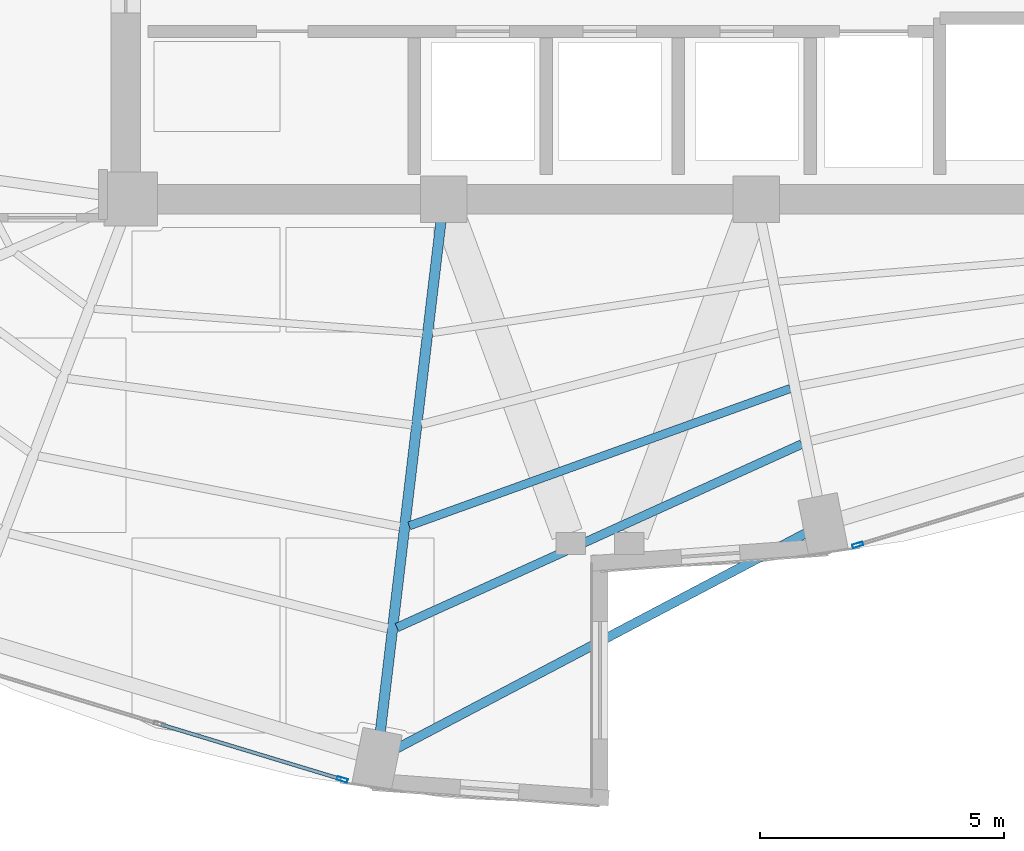
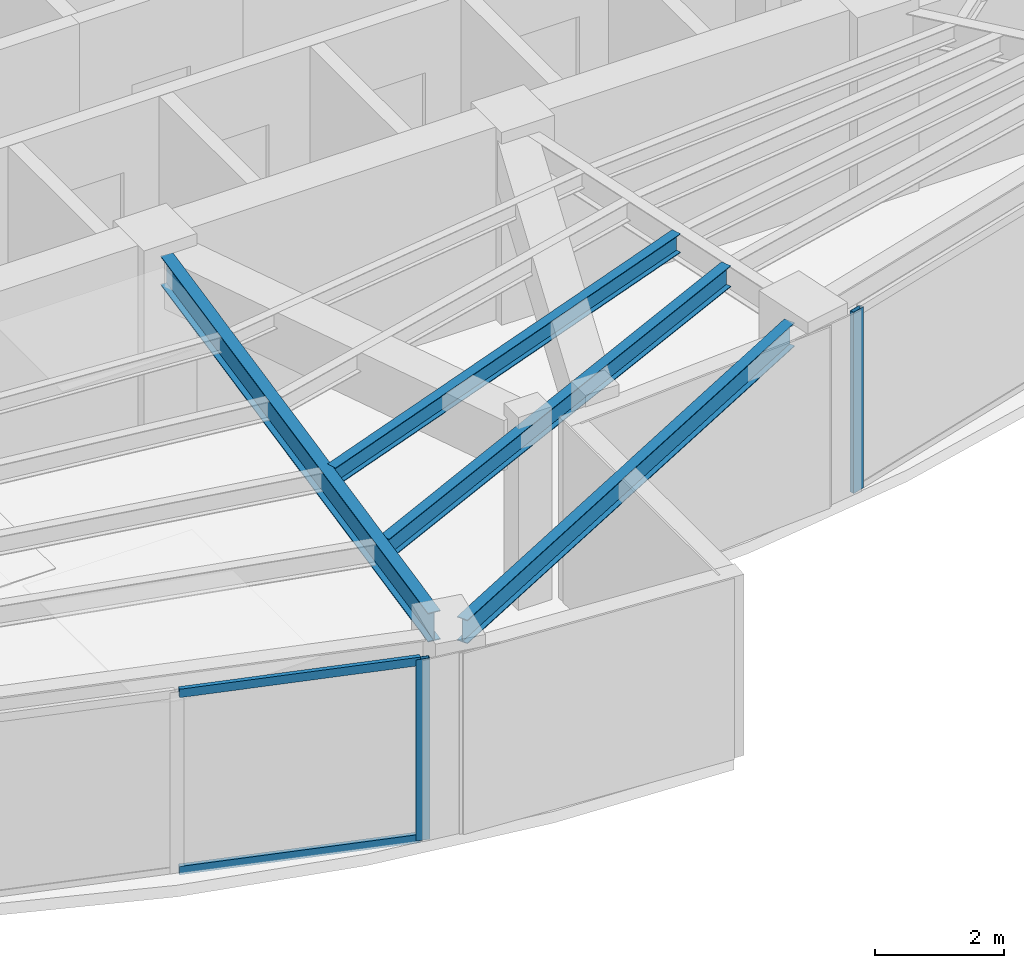
# One storey, part 4 of 20: 4 beams, 4 members, 2 elements without a shape of their own.
"""IFC4 building model written with IfcOpenShell, lengths in metres."""

from ifc_helpers import new_model, si_unit, direction, frame, origin, origin_2d, place, context, subcontext, project, spatial, hollow_rectangle, i_section, extrude, material, layer, layer_set, material_profile, profile_set, type_object, element, aggregate, save


model = new_model("IFC4")

# Units and contexts
model_context = context("Model", 3, precision=1e-05, world=origin(), true_north=direction((0.0, 1.0)))
body_context = subcontext(model_context, "Body", "Model", "MODEL_VIEW")
ifc_project = project(units=[si_unit("LENGTHUNIT", "METRE"), si_unit("AREAUNIT", "SQUARE_METRE"), si_unit("VOLUMEUNIT", "CUBIC_METRE"), si_unit("PLANEANGLEUNIT", "RADIAN"), si_unit("MASSUNIT", "GRAM", prefix="KILO")], contexts=[model_context])

# Site, building, storey
site_placement = place(None, origin())
site = spatial("IfcSite", under=ifc_project, at=site_placement, CompositionType="ELEMENT")
building_placement = place(site_placement, origin())
building = spatial("IfcBuilding", under=site, at=building_placement, Name="Lazwardi Medical Tower", CompositionType="ELEMENT")
storey_placement = place(building_placement, frame((0.0, 0.0, 178.416015625)))
storey = spatial("IfcBuildingStorey", under=building, at=storey_placement, Name="L46", CompositionType="ELEMENT", Elevation=178.416015625)

# Beams
ifc_material_1 = material(Name="Steel S355", Category="steel")
ifc_material_profile_1 = material_profile(ifc_material_1, i_section(OverallWidth=0.2099609375, OverallDepth=0.550048828125, WebThickness=0.010986328125, FlangeThickness=0.01708984375, at=origin_2d()), Name="IPE 550")
ifc_profile_set_1 = profile_set([ifc_material_profile_1], Name="Steel S355")
beam_type_1 = type_object("IfcBeamType", Name="BM-RG-W2", PredefinedType="BEAM", material=ifc_profile_set_1)
beam_1_placement = place(storey_placement, frame((31.505859375, 9.50732421875, 3.153076171875), z_axis=(0.117968004211, 0.993017396616, 0.0), x_axis=(-0.993017396616, 0.117968004211, 0.0)))
element("IfcBeam", 1, at=beam_1_placement, inside=storey, type_object=beam_type_1, Name="Radial girder RG-03 R16 L46", PredefinedType="BEAM", context=body_context, shape_type="SweptSolid", body=[
    extrude(i_section(OverallWidth=0.2099609375, OverallDepth=0.550048828125, WebThickness=0.010986328125, FlangeThickness=0.01708984375, at=origin_2d()), origin(), (0.0, 0.0, 1.0), 10.50927734375),
])
ifc_material_profile_2 = material_profile(ifc_material_1, i_section(OverallWidth=0.179931640625, OverallDepth=0.39990234375, WebThickness=0.008544921875, FlangeThickness=0.013427734375, at=origin_2d()), Name="IPE 400")
ifc_profile_set_2 = profile_set([ifc_material_profile_2], Name="Steel S355")
beam_type_2 = type_object("IfcBeamType", Name="BM-SJ-01", PredefinedType="JOIST", material=ifc_profile_set_2)
beam_2_placement = place(storey_placement, frame((31.844970703125, 11.6357421875, 3.22802734375), z_axis=(0.910834000674, 0.412772846995, 0.0), x_axis=(-0.412772846995, 0.910834000674, 0.0)))
element("IfcBeam", 2, at=beam_2_placement, inside=storey, type_object=beam_type_2, Name="Secondary joist SJ-01 R1 B16 L46", PredefinedType="JOIST", context=body_context, shape_type="SweptSolid", body=[
    extrude(i_section(OverallWidth=0.179931640625, OverallDepth=0.39990234375, WebThickness=0.008544921875, FlangeThickness=0.013427734375, at=origin_2d()), origin(), (0.0, 0.0, 1.0), 9.09130859375),
])
ifc_material_profile_3 = material_profile(ifc_material_1, i_section(OverallWidth=0.169921875, OverallDepth=0.360107421875, WebThickness=0.008056640625, FlangeThickness=0.0126953125, at=origin_2d()), Name="IPE 360")
ifc_profile_set_3 = profile_set([ifc_material_profile_3], Name="Steel S355")
beam_type_3 = type_object("IfcBeamType", Name="BM-SJ-02", PredefinedType="JOIST", material=ifc_profile_set_3)
beam_3_placement = place(storey_placement, frame((32.095947265625, 13.715576171875, 3.248046875), z_axis=(0.940747993319, 0.339106492221, 0.0), x_axis=(-0.339106492221, 0.940747993319, 0.0)))
element("IfcBeam", 3, at=beam_3_placement, inside=storey, type_object=beam_type_3, Name="Secondary joist SJ-02 R2 B16 L46", PredefinedType="JOIST", context=body_context, shape_type="SweptSolid", body=[
    extrude(i_section(OverallWidth=0.169921875, OverallDepth=0.360107421875, WebThickness=0.008056640625, FlangeThickness=0.0126953125, at=origin_2d()), origin(), (0.0, 0.0, 1.0), 8.28662109375),
])
ifc_material_profile_4 = material_profile(ifc_material_1, i_section(OverallWidth=0.18994140625, OverallDepth=0.449951171875, WebThickness=0.009521484375, FlangeThickness=0.0146484375, at=origin_2d()), Name="IPE 450")
ifc_profile_set_4 = profile_set([ifc_material_profile_4], Name="Steel S355")
beam_type_4 = type_object("IfcBeamType", Name="BM-SP-01", PredefinedType="SPANDREL", material=ifc_profile_set_4)
beam_4_placement = place(storey_placement, frame((31.793701171875, 9.137451171875, 3.202880859375), z_axis=(0.884926578414, 0.465730556026, 0.0), x_axis=(-0.465730556026, 0.884926578414, 0.0)))
element("IfcBeam", 4, at=beam_4_placement, inside=storey, type_object=beam_type_4, Name="Spandrel beam SP-01 B16 L46", PredefinedType="SPANDREL", context=body_context, shape_type="SweptSolid", body=[
    extrude(i_section(OverallWidth=0.18994140625, OverallDepth=0.449951171875, WebThickness=0.009521484375, FlangeThickness=0.0146484375, at=origin_2d()), origin(), (0.0, 0.0, 1.0), 9.506591796875),
])

# Curtain wall, member
ifc_material_2 = material(Name="Anodised bronze aluminium and solar control glazing", Category="aluminium")
ifc_layer = layer(ifc_material_2, 0.195068359375)
ifc_layer_set = layer_set([ifc_layer], Name="Anodised bronze aluminium and solar control glazing")
curtain_wall_type = type_object("IfcCurtainWallType", Name="CW-SYS-03", PredefinedType="NOTDEFINED", material=ifc_layer_set)
curtain_wall_1_placement = place(storey_placement, origin())
curtain_wall_1 = element("IfcCurtainWall", 5, at=curtain_wall_1_placement, inside=storey, type_object=curtain_wall_type, Name="L46 Unitised bronze curtain wall CW-03", PredefinedType="NOTDEFINED")
ifc_material_3 = material(Name="Anodised bronze aluminium", Category="aluminium")
ifc_material_profile_5 = material_profile(ifc_material_3, hollow_rectangle(XDim=0.074951171875, YDim=0.219970703125, WallThickness=0.00390625, at=origin_2d()), Name="ALU-MULLION 220x75x4")
ifc_profile_set_5 = profile_set([ifc_material_profile_5], Name="Anodised bronze aluminium")
member_type_1 = type_object("IfcMemberType", Name="CW-MUL-01", PredefinedType="MULLION", material=ifc_profile_set_5)
member_1_placement = place(storey_placement, frame((41.27197265625, 13.325927734375, 0.0), z_axis=(0.0, 0.0, 1.0), x_axis=(-0.290280785441, 0.956941516292, 0.0)))
member_1 = element("IfcMember", 6, at=member_1_placement, type_object=member_type_1, Name="CW-03 mullion 1", PredefinedType="MULLION", context=body_context, shape_type="SweptSolid", body=[
    extrude(hollow_rectangle(XDim=0.074951171875, YDim=0.219970703125, WallThickness=0.00390625, at=origin_2d()), origin(), (0.0, 0.0, 1.0), 3.427978515625),
])
aggregate(curtain_wall_1, [member_1])

# Curtain wall, members
curtain_wall_2_placement = place(storey_placement, origin())
curtain_wall_2 = element("IfcCurtainWall", 7, at=curtain_wall_2_placement, inside=storey, type_object=curtain_wall_type, Name="L46 Unitised bronze curtain wall CW-03", PredefinedType="NOTDEFINED")
member_2_placement = place(storey_placement, frame((30.72802734375, 8.52587890625, 0.0), z_axis=(0.0, 0.0, 1.0), x_axis=(0.290280785441, 0.956941516292, 0.0)))
member_2 = element("IfcMember", 8, at=member_2_placement, type_object=member_type_1, Name="CW-03 mullion 3", PredefinedType="MULLION", context=body_context, shape_type="SweptSolid", body=[
    extrude(hollow_rectangle(XDim=0.074951171875, YDim=0.219970703125, WallThickness=0.00390625, at=origin_2d()), origin(), (0.0, 0.0, 1.0), 3.427978515625),
])
ifc_material_profile_6 = material_profile(ifc_material_3, hollow_rectangle(XDim=0.074951171875, YDim=0.159912109375, WallThickness=0.00390625, at=origin_2d()), Name="ALU-TRANSOM 160x75x4")
ifc_profile_set_6 = profile_set([ifc_material_profile_6], Name="Anodised bronze aluminium")
member_type_2 = type_object("IfcMemberType", Name="CW-TRN-01", PredefinedType="USERDEFINED", material=ifc_profile_set_6)
member_3_placement = place(storey_placement, frame((27.020751953125, 9.650390625, 0.03759765625), z_axis=(0.95695319357, -0.290242287264, 0.0), x_axis=(0.290242287264, 0.95695319357, 0.0)))
member_3 = element("IfcMember", 9, at=member_3_placement, type_object=member_type_2, Name="CW-03 transom 2.1", ObjectType="TRANSOM", PredefinedType="USERDEFINED", context=body_context, shape_type="SweptSolid", body=[
    extrude(hollow_rectangle(XDim=0.074951171875, YDim=0.159912109375, WallThickness=0.00390625, at=origin_2d()), origin(), (0.0, 0.0, 1.0), 3.83642578125),
])
member_4_placement = place(storey_placement, frame((27.020751953125, 9.650390625, 3.390380859375), z_axis=(0.95695319357, -0.290242287264, 0.0), x_axis=(0.290242287264, 0.95695319357, 0.0)))
member_4 = element("IfcMember", 10, at=member_4_placement, type_object=member_type_2, Name="CW-03 transom 2.2", ObjectType="TRANSOM", PredefinedType="USERDEFINED", context=body_context, shape_type="SweptSolid", body=[
    extrude(hollow_rectangle(XDim=0.074951171875, YDim=0.159912109375, WallThickness=0.00390625, at=origin_2d()), origin(), (0.0, 0.0, 1.0), 3.83642578125),
])
aggregate(curtain_wall_2, [member_2, member_3, member_4])

save(model, "model.ifc")
